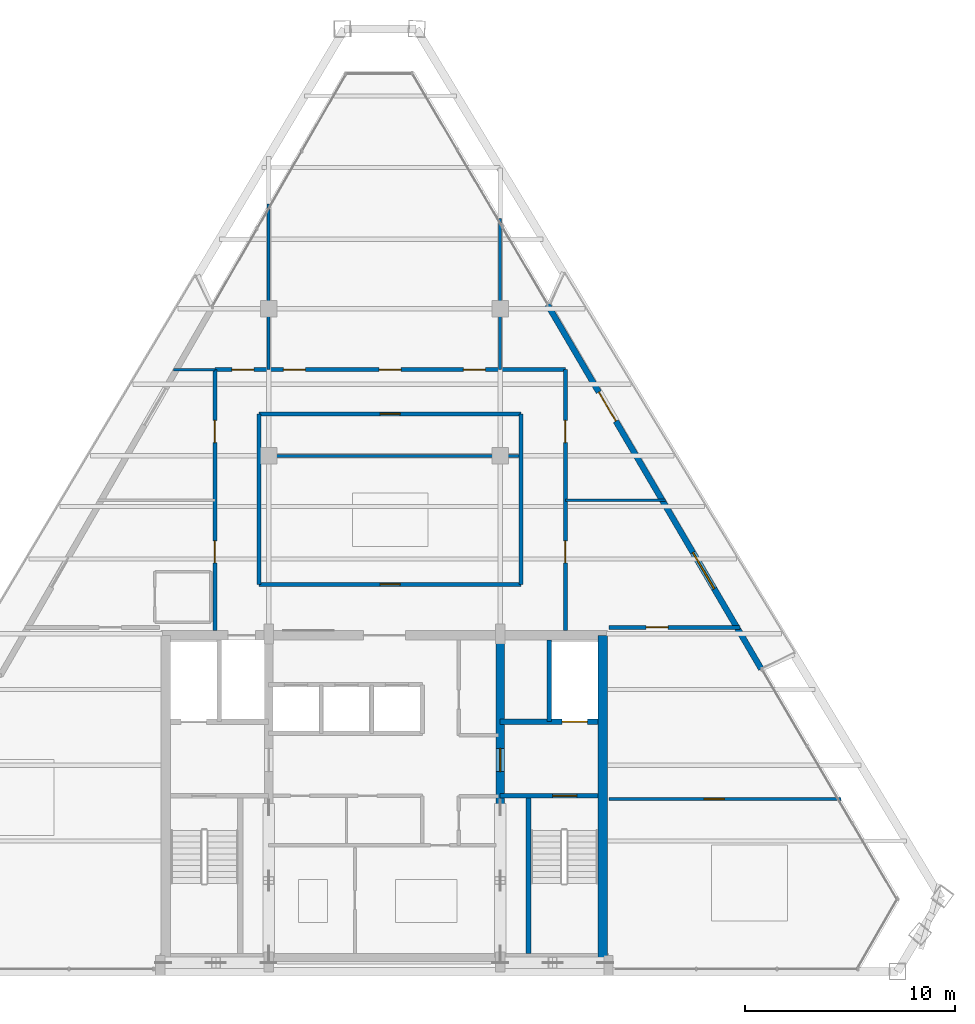
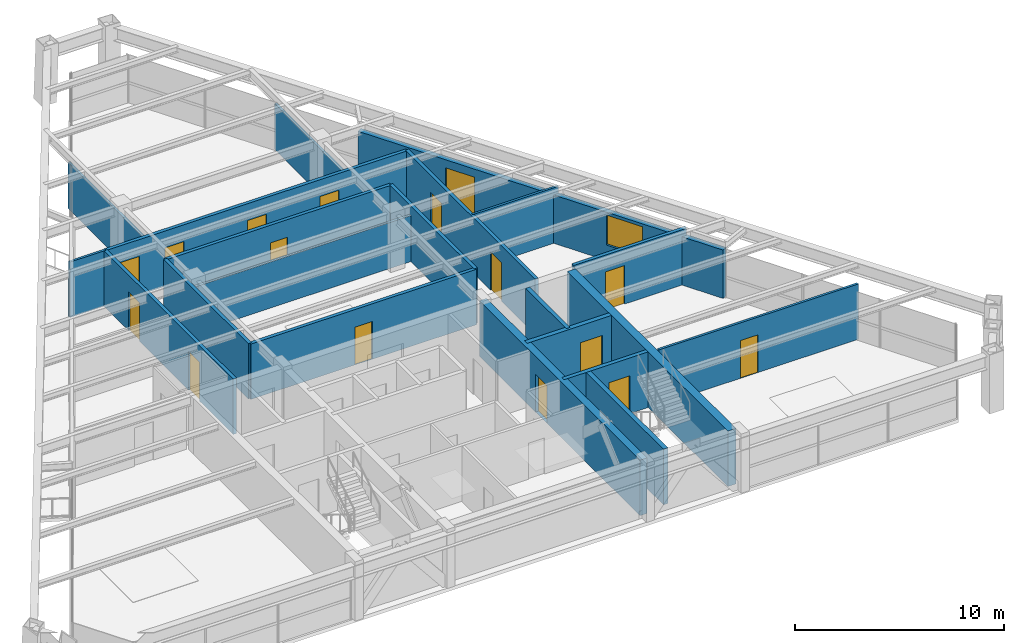
# One storey, part 10 of 13: 21 walls, 16 doors, 1 window, 17 openings.
"""IFC4 building model written with IfcOpenShell, lengths in metres."""

from ifc_helpers import new_model, si_unit, direction, frame, frame_2d, origin, place, context, subcontext, project, spatial, rectangle, extrude, source, transform, mapped, material, layer, layer_set, type_object, type_shapes, element, fill, save


model = new_model("IFC4")

# Units and contexts
model_context = context("Model", 3, precision=1e-05, world=origin(), true_north=direction((0.0, 1.0)))
body_context = subcontext(model_context, "Body", "Model", "MODEL_VIEW")
ifc_project = project(units=[si_unit("LENGTHUNIT", "METRE"), si_unit("AREAUNIT", "SQUARE_METRE"), si_unit("VOLUMEUNIT", "CUBIC_METRE"), si_unit("PLANEANGLEUNIT", "RADIAN"), si_unit("MASSUNIT", "GRAM", prefix="KILO")], contexts=[model_context])

# Site, building, storey
site_placement = place(None, origin())
site = spatial("IfcSite", under=ifc_project, at=site_placement, CompositionType="ELEMENT")
building_placement = place(site_placement, origin())
building = spatial("IfcBuilding", under=site, at=building_placement, Name="Varnakhor Terracotta Tower", CompositionType="ELEMENT")
storey_placement = place(building_placement, frame((0.0, 0.0, 283.35009765625)))
storey = spatial("IfcBuildingStorey", under=building, at=storey_placement, Name="L74", CompositionType="ELEMENT", Elevation=283.35009765625)

# Wall
ifc_material_1 = material(Name="Concrete C50/60", Category="concrete")
ifc_layer_1 = layer(ifc_material_1, 0.449951171875, Name="Concrete C50/60")
ifc_layer_set_1 = layer_set([ifc_layer_1], Name="Concrete C50/60")
wall_type_1 = type_object("IfcWallType", Name="WAL-CORE-450", PredefinedType="SHEAR", material=ifc_layer_set_1)
wall_1_placement = place(storey_placement, frame((10.375, 0.625, 0.0), z_axis=(0.0, 0.0, 1.0), x_axis=(0.0, 1.0, 0.0)))
element("IfcWall", 1, at=wall_1_placement, inside=storey, type_object=wall_type_1, Name="L74 East Core Shear Wall", PredefinedType="SHEAR", context=body_context, shape_type="SweptSolid", body=[
    extrude(rectangle(XDim=15.35009765625, YDim=0.449951171875, at=frame_2d((7.675048828125, 0.0))), origin(), (0.0, 0.0, 1.0), 3.239990234375),
])

# Wall, opening, door
ifc_layer_2 = layer(ifc_material_1, 0.39990234375, Name="Concrete C50/60")
ifc_layer_set_2 = layer_set([ifc_layer_2], Name="Concrete C50/60")
wall_type_2 = type_object("IfcWallType", Name="WAL-CORE-WEB-400", PredefinedType="SHEAR", material=ifc_layer_set_2)
wall_2_placement = place(storey_placement, frame((5.5, 0.625, 0.0), z_axis=(0.0, 0.0, 1.0), x_axis=(0.0, 1.0, 0.0)))
wall_2 = element("IfcWall", 2, at=wall_2_placement, inside=storey, type_object=wall_type_2, Name="L74 East Core Web Shear Wall", PredefinedType="SHEAR", context=body_context, shape_type="SweptSolid", body=[
    extrude(rectangle(XDim=15.35009765625, YDim=0.39990234375, at=frame_2d((7.675048828125, 0.0))), origin(), (0.0, 0.0, 1.0), 3.239990234375),
])
opening_1_placement = place(wall_2_placement, frame((8.875, 0.0, 0.0)))
opening_1 = element("IfcOpeningElement", 3, at=opening_1_placement, cuts=wall_2, Name="Opening DR-25", PredefinedType="OPENING", context=body_context, shape_type="SweptSolid", body=[
    extrude(rectangle(XDim=1.10009765625, YDim=2.199951171875, at=frame_2d((0.550048828125, 1.10009765625))), frame((0.0, 0.2099609375, 0.0), z_axis=(0.0, -1.0, 0.0), x_axis=(1.0, 0.0, 0.0)), (0.0, 0.0, 1.0), 0.419921875),
])
ifc_material_2 = material(Name="Firefighting Lobby Self-Closing Fire Door", Category="steel")
door_type_1 = type_object("IfcDoorType", Name="DR-FFL-1100X2200", OperationType="NOTDEFINED", PredefinedType="DOOR", material=ifc_material_2)
shared_shape_1 = source(origin(), body_context, "Body", "SweptSolid", [
    extrude(rectangle(XDim=1.10009765625, YDim=2.199951171875, at=frame_2d((0.550048828125, 1.10009765625))), frame((0.0, 0.02490234375, 0.0), z_axis=(0.0, -1.0, 0.0), x_axis=(1.0, 0.0, 0.0)), (0.0, 0.0, 1.0), 0.050048828125),
])
type_shapes(door_type_1, [shared_shape_1])
door_1_placement = place(opening_1_placement, origin())
door_1 = element("IfcDoor", 4, at=door_1_placement, inside=storey, type_object=door_type_1, Name="L74 East Firefighting Lobby Door", OperationType="SINGLE_SWING_RIGHT", OverallHeight=2.199951171875, OverallWidth=1.10009765625, PredefinedType="DOOR", context=body_context, shape_type="MappedRepresentation", body=[
    mapped(shared_shape_1, transform((0.0, 0.0, 0.0), scale=1.0)),
])
fill(opening_1, door_1)

ifc_material_3 = material(Name="Fire-Rated Gypsum Stud Partition", Category="gypsum")
ifc_layer_3 = layer(ifc_material_3, 0.18505859375, Name="Fire-Rated Gypsum Stud Partition")
ifc_layer_set_3 = layer_set([ifc_layer_3], Name="Fire-Rated Gypsum Stud Partition")
wall_type_3 = type_object("IfcWallType", Name="WAL-CORR-185", PredefinedType="PARTITIONING", material=ifc_layer_set_3)
wall_3_placement = place(storey_placement, frame((-5.949951171875, 18.39990234375, 0.0), z_axis=(0.0, 0.0, 1.0), x_axis=(1.0, 0.0, 0.0)))
wall_3 = element("IfcWall", 5, at=wall_3_placement, inside=storey, type_object=wall_type_3, Name="L74 Ring Inner South Wall", PredefinedType="PARTITIONING", context=body_context, shape_type="SweptSolid", body=[
    extrude(rectangle(XDim=12.449951171875, YDim=0.18505859375, at=frame_2d((6.22509765625, 0.0))), origin(), (0.0, 0.0, 1.0), 3.23193359375),
])
opening_2_placement = place(wall_3_placement, frame((5.75, 0.0, 0.0)))
opening_2 = element("IfcOpeningElement", 6, at=opening_2_placement, cuts=wall_3, Name="Opening DR-94", PredefinedType="OPENING", context=body_context, shape_type="SweptSolid", body=[
    extrude(rectangle(XDim=0.949951171875, YDim=2.199951171875, at=frame_2d((0.47509765625, 1.10009765625))), frame((0.0, 0.1025390625, 0.0), z_axis=(0.0, -1.0, 0.0), x_axis=(1.0, 0.0, 0.0)), (0.0, 0.0, 1.0), 0.205078125),
])
ifc_material_4 = material(Name="Acoustic Glazed-Vision Timber Office Door", Category="wood")
door_type_2 = type_object("IfcDoorType", Name="DR-OFF-950X2200", OperationType="NOTDEFINED", PredefinedType="DOOR", material=ifc_material_4)
shared_shape_2 = source(origin(), body_context, "Body", "SweptSolid", [
    extrude(rectangle(XDim=0.949951171875, YDim=2.199951171875, at=frame_2d((0.47509765625, 1.10009765625))), frame((0.0, 0.02490234375, 0.0), z_axis=(0.0, -1.0, 0.0), x_axis=(1.0, 0.0, 0.0)), (0.0, 0.0, 1.0), 0.050048828125),
])
type_shapes(door_type_2, [shared_shape_2])
door_2_placement = place(opening_2_placement, origin())
door_2 = element("IfcDoor", 7, at=door_2_placement, inside=storey, type_object=door_type_2, Name="L74 Housekeeping Station Door", OperationType="SINGLE_SWING_LEFT", OverallHeight=2.199951171875, OverallWidth=0.949951171875, PredefinedType="DOOR", context=body_context, shape_type="MappedRepresentation", body=[
    mapped(shared_shape_2, transform((0.0, 0.0, 0.0), scale=1.0)),
])
fill(opening_2, door_2)

wall_4_placement = place(storey_placement, frame((-5.949951171875, 26.5, 0.0), z_axis=(0.0, 0.0, 1.0), x_axis=(1.0, 0.0, 0.0)))
wall_4 = element("IfcWall", 8, at=wall_4_placement, inside=storey, type_object=wall_type_3, Name="L74 Ring Inner North Wall", PredefinedType="PARTITIONING", context=body_context, shape_type="SweptSolid", body=[
    extrude(rectangle(XDim=12.449951171875, YDim=0.18505859375, at=frame_2d((6.22509765625, 0.0))), origin(), (0.0, 0.0, 1.0), 3.23193359375),
])
opening_3_placement = place(wall_4_placement, frame((5.75, 0.0, 0.0)))
opening_3 = element("IfcOpeningElement", 9, at=opening_3_placement, cuts=wall_4, Name="Opening DR-94", PredefinedType="OPENING", context=body_context, shape_type="SweptSolid", body=[
    extrude(rectangle(XDim=0.949951171875, YDim=2.199951171875, at=frame_2d((0.47509765625, 1.10009765625))), frame((0.0, 0.1025390625, 0.0), z_axis=(0.0, -1.0, 0.0), x_axis=(1.0, 0.0, 0.0)), (0.0, 0.0, 1.0), 0.205078125),
])
door_3_placement = place(opening_3_placement, origin())
door_3 = element("IfcDoor", 10, at=door_3_placement, inside=storey, type_object=door_type_2, Name="L74 Inner Service Door", OperationType="SINGLE_SWING_RIGHT", OverallHeight=2.199951171875, OverallWidth=0.949951171875, PredefinedType="DOOR", context=body_context, shape_type="MappedRepresentation", body=[
    mapped(shared_shape_2, transform((0.0, 0.0, 0.0), scale=1.0)),
])
fill(opening_3, door_3)

# Walls
for number, where, z_axis, x_axis, name in (
    (11, (-5.949951171875, 18.39990234375, 0.0), (0.0, 0.0, 1.0), (0.0, 1.0, 0.0), "L74 Ring Inner West Wall"),
    (12, (6.5, 18.39990234375, 0.0), (0.0, 0.0, 1.0), (0.0, 1.0, 0.0), "L74 Ring Inner East Wall"),
):
    element("IfcWall", number, at=place(storey_placement, frame(where, z_axis=z_axis, x_axis=x_axis)), inside=storey, type_object=wall_type_3, Name=name, PredefinedType="PARTITIONING", context=body_context, shape_type="SweptSolid", body=[
        extrude(rectangle(XDim=8.10009765625, YDim=0.18505859375, at=frame_2d((4.050048828125, 0.0))), origin(), (0.0, 0.0, 1.0), 3.23193359375),
    ])

# Wall, openings, doors
wall_5_placement = place(storey_placement, frame((-8.050048828125, 16.199951171875, 0.0), z_axis=(0.0, 0.0, 1.0), x_axis=(0.0, 1.0, 0.0)))
wall_5 = element("IfcWall", 13, at=wall_5_placement, inside=storey, type_object=wall_type_3, Name="L74 Hotel West Corridor Wall", PredefinedType="PARTITIONING", context=body_context, shape_type="SweptSolid", body=[
    extrude(rectangle(XDim=12.400146484375, YDim=0.18505859375, at=frame_2d((6.2001953125, 0.0))), origin(), (0.0, 0.0, 1.0), 3.23193359375),
])
opening_4_placement = place(wall_5_placement, frame((3.217529296875, 0.0, 0.0)))
opening_4 = element("IfcOpeningElement", 14, at=opening_4_placement, cuts=wall_5, Name="Opening DR-95", PredefinedType="OPENING", context=body_context, shape_type="SweptSolid", body=[
    extrude(rectangle(XDim=1.050048828125, YDim=2.25, at=frame_2d((0.52490234375, 1.125))), frame((0.0, 0.1025390625, 0.0), z_axis=(0.0, -1.0, 0.0), x_axis=(1.0, 0.0, 0.0)), (0.0, 0.0, 1.0), 0.205078125),
])
opening_5_placement = place(wall_5_placement, frame((8.935791015625, 0.0, 0.0)))
opening_5 = element("IfcOpeningElement", 15, at=opening_5_placement, cuts=wall_5, Name="Opening DR-95", PredefinedType="OPENING", context=body_context, shape_type="SweptSolid", body=[
    extrude(rectangle(XDim=1.050048828125, YDim=2.25, at=frame_2d((0.52490234375, 1.125))), frame((0.0, 0.1025390625, 0.0), z_axis=(0.0, -1.0, 0.0), x_axis=(1.0, 0.0, 0.0)), (0.0, 0.0, 1.0), 0.205078125),
])
ifc_material_5 = material(Name="Solid-Core Timber Tenant/Hotel Entrance Door", Category="wood")
door_type_3 = type_object("IfcDoorType", Name="DR-SUITE-1050X2250", OperationType="NOTDEFINED", PredefinedType="DOOR", material=ifc_material_5)
shared_shape_3 = source(origin(), body_context, "Body", "SweptSolid", [
    extrude(rectangle(XDim=1.050048828125, YDim=2.25, at=frame_2d((0.52490234375, 1.125))), frame((0.0, 0.02490234375, 0.0), z_axis=(0.0, -1.0, 0.0), x_axis=(1.0, 0.0, 0.0)), (0.0, 0.0, 1.0), 0.050048828125),
])
type_shapes(door_type_3, [shared_shape_3])
door_4_placement = place(opening_4_placement, origin())
door_4 = element("IfcDoor", 16, at=door_4_placement, inside=storey, type_object=door_type_3, Name="L74 West Room 1 Entry Door", OperationType="SINGLE_SWING_RIGHT", OverallHeight=2.25, OverallWidth=1.050048828125, PredefinedType="DOOR", context=body_context, shape_type="MappedRepresentation", body=[
    mapped(shared_shape_3, transform((0.0, 0.0, 0.0), scale=1.0)),
])
fill(opening_4, door_4)
door_5_placement = place(opening_5_placement, origin())
door_5 = element("IfcDoor", 17, at=door_5_placement, inside=storey, type_object=door_type_3, Name="L74 West Room 2 Entry Door", OperationType="SINGLE_SWING_RIGHT", OverallHeight=2.25, OverallWidth=1.050048828125, PredefinedType="DOOR", context=body_context, shape_type="MappedRepresentation", body=[
    mapped(shared_shape_3, transform((0.0, 0.0, 0.0), scale=1.0)),
])
fill(opening_5, door_5)

wall_6_placement = place(storey_placement, frame((8.60009765625, 16.199951171875, 0.0), z_axis=(0.0, 0.0, 1.0), x_axis=(0.0, 1.0, 0.0)))
wall_6 = element("IfcWall", 18, at=wall_6_placement, inside=storey, type_object=wall_type_3, Name="L74 Hotel East Corridor Wall", PredefinedType="PARTITIONING", context=body_context, shape_type="SweptSolid", body=[
    extrude(rectangle(XDim=12.400146484375, YDim=0.18505859375, at=frame_2d((6.2001953125, 0.0))), origin(), (0.0, 0.0, 1.0), 3.23193359375),
])
opening_6_placement = place(wall_6_placement, frame((3.217529296875, 0.0, 0.0)))
opening_6 = element("IfcOpeningElement", 19, at=opening_6_placement, cuts=wall_6, Name="Opening DR-95", PredefinedType="OPENING", context=body_context, shape_type="SweptSolid", body=[
    extrude(rectangle(XDim=1.050048828125, YDim=2.25, at=frame_2d((0.52490234375, 1.125))), frame((0.0, 0.1025390625, 0.0), z_axis=(0.0, -1.0, 0.0), x_axis=(1.0, 0.0, 0.0)), (0.0, 0.0, 1.0), 0.205078125),
])
opening_7_placement = place(wall_6_placement, frame((8.935791015625, 0.0, 0.0)))
opening_7 = element("IfcOpeningElement", 20, at=opening_7_placement, cuts=wall_6, Name="Opening DR-95", PredefinedType="OPENING", context=body_context, shape_type="SweptSolid", body=[
    extrude(rectangle(XDim=1.050048828125, YDim=2.25, at=frame_2d((0.52490234375, 1.125))), frame((0.0, 0.1025390625, 0.0), z_axis=(0.0, -1.0, 0.0), x_axis=(1.0, 0.0, 0.0)), (0.0, 0.0, 1.0), 0.205078125),
])
door_6_placement = place(opening_6_placement, origin())
door_6 = element("IfcDoor", 21, at=door_6_placement, inside=storey, type_object=door_type_3, Name="L74 East Room 1 Entry Door", OperationType="SINGLE_SWING_LEFT", OverallHeight=2.25, OverallWidth=1.050048828125, PredefinedType="DOOR", context=body_context, shape_type="MappedRepresentation", body=[
    mapped(shared_shape_3, transform((0.0, 0.0, 0.0), scale=1.0)),
])
fill(opening_6, door_6)
door_7_placement = place(opening_7_placement, origin())
door_7 = element("IfcDoor", 22, at=door_7_placement, inside=storey, type_object=door_type_3, Name="L74 East Room 2 Entry Door", OperationType="SINGLE_SWING_RIGHT", OverallHeight=2.25, OverallWidth=1.050048828125, PredefinedType="DOOR", context=body_context, shape_type="MappedRepresentation", body=[
    mapped(shared_shape_3, transform((0.0, 0.0, 0.0), scale=1.0)),
])
fill(opening_7, door_7)

wall_7_placement = place(storey_placement, frame((-8.050048828125, 28.60009765625, 0.0), z_axis=(0.0, 0.0, 1.0), x_axis=(1.0, 0.0, 0.0)))
wall_7 = element("IfcWall", 23, at=wall_7_placement, inside=storey, type_object=wall_type_3, Name="L74 Hotel North Corridor Wall", PredefinedType="PARTITIONING", context=body_context, shape_type="SweptSolid", body=[
    extrude(rectangle(XDim=16.650146484375, YDim=0.18505859375, at=frame_2d((8.3251953125, 0.0))), origin(), (0.0, 0.0, 1.0), 3.23193359375),
])
opening_8_placement = place(wall_7_placement, frame((3.24755859375, 0.0, 0.0)))
opening_8 = element("IfcOpeningElement", 24, at=opening_8_placement, cuts=wall_7, Name="Opening DR-95", PredefinedType="OPENING", context=body_context, shape_type="SweptSolid", body=[
    extrude(rectangle(XDim=1.050048828125, YDim=2.25, at=frame_2d((0.52490234375, 1.125))), frame((0.0, 0.1025390625, 0.0), z_axis=(0.0, -1.0, 0.0), x_axis=(1.0, 0.0, 0.0)), (0.0, 0.0, 1.0), 0.205078125),
])
opening_9_placement = place(wall_7_placement, frame((7.800048828125, 0.0, 0.0)))
opening_9 = element("IfcOpeningElement", 25, at=opening_9_placement, cuts=wall_7, Name="Opening DR-95", PredefinedType="OPENING", context=body_context, shape_type="SweptSolid", body=[
    extrude(rectangle(XDim=1.050048828125, YDim=2.25, at=frame_2d((0.52490234375, 1.125))), frame((0.0, 0.1025390625, 0.0), z_axis=(0.0, -1.0, 0.0), x_axis=(1.0, 0.0, 0.0)), (0.0, 0.0, 1.0), 0.205078125),
])
opening_10_placement = place(wall_7_placement, frame((11.802490234375, 0.0, 0.0)))
opening_10 = element("IfcOpeningElement", 26, at=opening_10_placement, cuts=wall_7, Name="Opening DR-95", PredefinedType="OPENING", context=body_context, shape_type="SweptSolid", body=[
    extrude(rectangle(XDim=1.050048828125, YDim=2.25, at=frame_2d((0.52490234375, 1.125))), frame((0.0, 0.1025390625, 0.0), z_axis=(0.0, -1.0, 0.0), x_axis=(1.0, 0.0, 0.0)), (0.0, 0.0, 1.0), 0.205078125),
])
opening_11_placement = place(wall_7_placement, frame((0.802490234375, 0.0, 0.0)))
opening_11 = element("IfcOpeningElement", 27, at=opening_11_placement, cuts=wall_7, Name="Opening DR-95", PredefinedType="OPENING", context=body_context, shape_type="SweptSolid", body=[
    extrude(rectangle(XDim=1.050048828125, YDim=2.25, at=frame_2d((0.52490234375, 1.125))), frame((0.0, 0.1025390625, 0.0), z_axis=(0.0, -1.0, 0.0), x_axis=(1.0, 0.0, 0.0)), (0.0, 0.0, 1.0), 0.205078125),
])
door_8_placement = place(opening_8_placement, origin())
door_8 = element("IfcDoor", 28, at=door_8_placement, inside=storey, type_object=door_type_3, Name="L74 North Suite 1 Entry Door", OperationType="SINGLE_SWING_LEFT", OverallHeight=2.25, OverallWidth=1.050048828125, PredefinedType="DOOR", context=body_context, shape_type="MappedRepresentation", body=[
    mapped(shared_shape_3, transform((0.0, 0.0, 0.0), scale=1.0)),
])
fill(opening_8, door_8)
door_9_placement = place(opening_9_placement, origin())
door_9 = element("IfcDoor", 29, at=door_9_placement, inside=storey, type_object=door_type_3, Name="L74 North Suite 2 Entry Door", OperationType="SINGLE_SWING_RIGHT", OverallHeight=2.25, OverallWidth=1.050048828125, PredefinedType="DOOR", context=body_context, shape_type="MappedRepresentation", body=[
    mapped(shared_shape_3, transform((0.0, 0.0, 0.0), scale=1.0)),
])
fill(opening_9, door_9)
door_10_placement = place(opening_10_placement, origin())
door_10 = element("IfcDoor", 30, at=door_10_placement, inside=storey, type_object=door_type_3, Name="L74 North Suite 3 Entry Door", OperationType="SINGLE_SWING_LEFT", OverallHeight=2.25, OverallWidth=1.050048828125, PredefinedType="DOOR", context=body_context, shape_type="MappedRepresentation", body=[
    mapped(shared_shape_3, transform((0.0, 0.0, 0.0), scale=1.0)),
])
fill(opening_10, door_10)
door_11_placement = place(opening_11_placement, origin())
door_11 = element("IfcDoor", 31, at=door_11_placement, inside=storey, type_object=door_type_3, Name="L74 Maitre D Reception NW Door", OperationType="SINGLE_SWING_RIGHT", OverallHeight=2.25, OverallWidth=1.050048828125, PredefinedType="DOOR", context=body_context, shape_type="MappedRepresentation", body=[
    mapped(shared_shape_3, transform((0.0, 0.0, 0.0), scale=1.0)),
])
fill(opening_11, door_11)

# Wall, opening, door
wall_8_placement = place(storey_placement, frame((10.679931640625, 16.35009765625, 0.0), z_axis=(0.0, 0.0, 1.0), x_axis=(1.0, 0.0, 0.0)))
wall_8 = element("IfcWall", 32, at=wall_8_placement, inside=storey, type_object=wall_type_3, Name="L74 South East Guest Entry Wall", PredefinedType="PARTITIONING", context=body_context, shape_type="SweptSolid", body=[
    extrude(rectangle(XDim=6.222412109375, YDim=0.18505859375, at=frame_2d((3.111328125, 0.0))), origin(), (0.0, 0.0, 1.0), 3.23193359375),
])
opening_12_placement = place(wall_8_placement, frame((1.7548828125, 0.0, 0.0)))
opening_12 = element("IfcOpeningElement", 33, at=opening_12_placement, cuts=wall_8, Name="Opening DR-95", PredefinedType="OPENING", context=body_context, shape_type="SweptSolid", body=[
    extrude(rectangle(XDim=1.050048828125, YDim=2.25, at=frame_2d((0.52490234375, 1.125))), frame((0.0, 0.1025390625, 0.0), z_axis=(0.0, -1.0, 0.0), x_axis=(1.0, 0.0, 0.0)), (0.0, 0.0, 1.0), 0.205078125),
])
door_12_placement = place(opening_12_placement, origin())
door_12 = element("IfcDoor", 34, at=door_12_placement, inside=storey, type_object=door_type_3, Name="L74 SE Suite Entry Door", OperationType="SINGLE_SWING_RIGHT", OverallHeight=2.25, OverallWidth=1.050048828125, PredefinedType="DOOR", context=body_context, shape_type="MappedRepresentation", body=[
    mapped(shared_shape_3, transform((0.0, 0.0, 0.0), scale=1.0)),
])
fill(opening_12, door_12)

# Wall, openings, door, window
ifc_material_6 = material(Name="Extruded Architectural Terracotta Assembly", Category="masonry")
ifc_layer_4 = layer(ifc_material_6, 0.280029296875, Name="Extruded Architectural Terracotta Assembly")
ifc_layer_set_4 = layer_set([ifc_layer_4], Name="Extruded Architectural Terracotta Assembly")
wall_type_4 = type_object("IfcWallType", Name="WAL-EXT-TERRACOTTA-280", PredefinedType="SOLIDWALL", material=ifc_layer_set_4)
wall_9_placement = place(storey_placement, frame((7.751708984375, 31.686279296875, 0.0), z_axis=(0.0, 0.0, 1.0), x_axis=(0.506132125438, -0.862455953426, 0.0)))
wall_9 = element("IfcWall", 35, at=wall_9_placement, inside=storey, type_object=wall_type_4, Name="L74 E Loggia Insulated Terracotta Wall", PredefinedType="SOLIDWALL", context=body_context, shape_type="SweptSolid", body=[
    extrude(rectangle(XDim=20.0712890625, YDim=0.280029296875, at=frame_2d((10.03564453125, 0.0))), origin(), (0.0, 0.0, 1.0), 2.81982421875),
])
opening_13_placement = place(wall_9_placement, frame((4.817138671875, 0.0, 0.0)))
opening_13 = element("IfcOpeningElement", 36, at=opening_13_placement, cuts=wall_9, Name="Opening DR-62", PredefinedType="OPENING", context=body_context, shape_type="SweptSolid", body=[
    extrude(rectangle(XDim=1.60009765625, YDim=2.35009765625, at=frame_2d((0.800048828125, 1.175048828125))), frame((0.0, 0.14990234375, 0.0), z_axis=(0.0, -1.0, 0.0), x_axis=(1.0, 0.0, 0.0)), (0.0, 0.0, 1.0), 0.300048828125),
])
opening_14_placement = place(wall_9_placement, frame((13.6484375, 0.0, 0.89990234375)))
opening_14 = element("IfcOpeningElement", 37, at=opening_14_placement, cuts=wall_9, Name="Opening WN-63", PredefinedType="OPENING", context=body_context, shape_type="SweptSolid", body=[
    extrude(rectangle(XDim=2.0, YDim=1.75, at=frame_2d((1.0, 0.875))), frame((0.0, 0.14990234375, 0.0), z_axis=(0.0, -1.0, 0.0), x_axis=(1.0, 0.0, 0.0)), (0.0, 0.0, 1.0), 0.300048828125),
])
ifc_material_7 = material(Name="Thermally Broken Sliding Glass Loggia Door", Category="glass")
door_type_4 = type_object("IfcDoorType", Name="DR-EXT-LOGGIA-1600X2350", OperationType="NOTDEFINED", PredefinedType="DOOR", material=ifc_material_7)
shared_shape_4 = source(origin(), body_context, "Body", "SweptSolid", [
    extrude(rectangle(XDim=1.60009765625, YDim=2.35009765625, at=frame_2d((0.800048828125, 1.175048828125))), frame((0.0, 0.02490234375, 0.0), z_axis=(0.0, -1.0, 0.0), x_axis=(1.0, 0.0, 0.0)), (0.0, 0.0, 1.0), 0.050048828125),
])
type_shapes(door_type_4, [shared_shape_4])
door_13_placement = place(opening_13_placement, origin())
door_13 = element("IfcDoor", 38, at=door_13_placement, inside=storey, type_object=door_type_4, Name="L74 E Recessed Loggia Sliding Door", OperationType="SLIDING_TO_RIGHT", OverallHeight=2.35009765625, OverallWidth=1.60009765625, PredefinedType="DOOR", context=body_context, shape_type="MappedRepresentation", body=[
    mapped(shared_shape_4, transform((0.0, 0.0, 0.0), scale=1.0)),
])
fill(opening_13, door_13)
ifc_material_8 = material(Name="Solar-Control Low-E Insulated Glass Unit", Category="glass")
window_type = type_object("IfcWindowType", Name="WIN-HTL-2000X1950", PartitioningType="SINGLE_PANEL", PredefinedType="WINDOW", material=ifc_material_8)
shared_shape_5 = source(origin(), body_context, "Body", "SweptSolid", [
    extrude(rectangle(XDim=2.0, YDim=1.75, at=frame_2d((1.0, 0.875))), frame((0.0, 0.030029296875, 0.0), z_axis=(0.0, -1.0, 0.0), x_axis=(1.0, 0.0, 0.0)), (0.0, 0.0, 1.0), 0.06005859375),
])
type_shapes(window_type, [shared_shape_5])
window_placement = place(opening_14_placement, origin())
window = element("IfcWindow", 39, at=window_placement, inside=storey, type_object=window_type, Name="L74 E Facet Punched Window", OverallHeight=1.75, OverallWidth=2.0, PartitioningType="SINGLE_PANEL", PredefinedType="WINDOW", context=body_context, shape_type="MappedRepresentation", body=[
    mapped(shared_shape_5, transform((0.0, 0.0, 0.0), scale=1.0)),
])
fill(opening_14, window)

# Wall, opening, door
ifc_material_9 = material(Name="Concrete C40/50", Category="concrete")
ifc_layer_5 = layer(ifc_material_9, 0.219970703125, Name="Concrete C40/50")
ifc_layer_set_5 = layer_set([ifc_layer_5], Name="Concrete C40/50")
wall_type_5 = type_object("IfcWallType", Name="WAL-FFLOBBY-220", PredefinedType="SOLIDWALL", material=ifc_layer_set_5)
wall_10_placement = place(storey_placement, frame((10.14990234375, 8.35009765625, 0.0), z_axis=(0.0, 0.0, 1.0), x_axis=(-1.0, 0.0, 0.0)))
wall_10 = element("IfcWall", 40, at=wall_10_placement, inside=storey, type_object=wall_type_5, Name="L74 East Firefighting Lobby Stair Wall", PredefinedType="SOLIDWALL", context=body_context, shape_type="SweptSolid", body=[
    extrude(rectangle(XDim=4.64990234375, YDim=0.219970703125, at=frame_2d((2.324951171875, 0.0))), origin(), (0.0, 0.0, 1.0), 3.239990234375),
])
opening_15_placement = place(wall_10_placement, frame((1.0, 0.0, 0.0)))
opening_15 = element("IfcOpeningElement", 41, at=opening_15_placement, cuts=wall_10, Name="Opening DR-34", PredefinedType="OPENING", context=body_context, shape_type="SweptSolid", body=[
    extrude(rectangle(XDim=1.14990234375, YDim=2.199951171875, at=frame_2d((0.574951171875, 1.10009765625))), frame((0.0, 0.1201171875, 0.0), z_axis=(0.0, -1.0, 0.0), x_axis=(1.0, 0.0, 0.0)), (0.0, 0.0, 1.0), 0.239990234375),
])
ifc_material_10 = material(Name="Self-Closing Smoke-Sealed Steel Fire Door", Category="steel")
door_type_5 = type_object("IfcDoorType", Name="DR-STAIR-1150X2200", OperationType="NOTDEFINED", PredefinedType="DOOR", material=ifc_material_10)
shared_shape_6 = source(origin(), body_context, "Body", "SweptSolid", [
    extrude(rectangle(XDim=1.14990234375, YDim=2.199951171875, at=frame_2d((0.574951171875, 1.10009765625))), frame((0.0, 0.02490234375, 0.0), z_axis=(0.0, -1.0, 0.0), x_axis=(1.0, 0.0, 0.0)), (0.0, 0.0, 1.0), 0.050048828125),
])
type_shapes(door_type_5, [shared_shape_6])
door_14_placement = place(opening_15_placement, origin())
door_14 = element("IfcDoor", 42, at=door_14_placement, inside=storey, type_object=door_type_5, Name="L74 Exit Stair ST-2 Fire Door", OperationType="SINGLE_SWING_LEFT", OverallHeight=2.199951171875, OverallWidth=1.14990234375, PredefinedType="DOOR", context=body_context, shape_type="MappedRepresentation", body=[
    mapped(shared_shape_6, transform((0.0, 0.0, 0.0), scale=1.0)),
])
fill(opening_15, door_14)

# Walls
ifc_material_11 = material(Name="Acoustic Hotel Room Partition", Category="gypsum")
ifc_layer_6 = layer(ifc_material_11, 0.1298828125, Name="Acoustic Hotel Room Partition")
ifc_layer_set_6 = layer_set([ifc_layer_6], Name="Acoustic Hotel Room Partition")
wall_type_6 = type_object("IfcWallType", Name="WAL-PART-130", PredefinedType="PARTITIONING", material=ifc_layer_set_6)
wall_11_placement = place(storey_placement, frame((-10.02880859375, 28.60009765625, 0.0), z_axis=(0.0, 0.0, 1.0), x_axis=(1.0, 0.0, 0.0)))
element("IfcWall", 43, at=wall_11_placement, inside=storey, type_object=wall_type_6, Name="L74 North West Suite South Wall", PredefinedType="PARTITIONING", context=body_context, shape_type="SweptSolid", body=[
    extrude(rectangle(XDim=1.978759765625, YDim=0.1298828125, at=frame_2d((0.9892578125, 0.0))), origin(), (0.0, 0.0, 1.0), 3.23193359375),
])
wall_12_placement = place(storey_placement, frame((-5.5, 28.60009765625, 0.0), z_axis=(0.0, 0.0, 1.0), x_axis=(0.0, 1.0, 0.0)))
element("IfcWall", 44, at=wall_12_placement, inside=storey, type_object=wall_type_6, Name="L74 North West Column Wall", PredefinedType="PARTITIONING", context=body_context, shape_type="SweptSolid", body=[
    extrude(rectangle(XDim=7.86474609375, YDim=0.1298828125, at=frame_2d((3.932373046875, 0.0))), origin(), (0.0, 0.0, 1.0), 2.682861328125),
])
wall_13_placement = place(storey_placement, frame((5.5, 28.60009765625, 0.0), z_axis=(0.0, 0.0, 1.0), x_axis=(0.0, 1.0, 0.0)))
element("IfcWall", 45, at=wall_13_placement, inside=storey, type_object=wall_type_6, Name="L74 North East Column Wall", PredefinedType="PARTITIONING", context=body_context, shape_type="SweptSolid", body=[
    extrude(rectangle(XDim=7.179931640625, YDim=0.1298828125, at=frame_2d((3.58984375, 0.0))), origin(), (0.0, 0.0, 1.0), 2.682861328125),
])

# Wall, opening, door
wall_14_placement = place(storey_placement, frame((10.679931640625, 8.199951171875, 0.0), z_axis=(0.0, 0.0, 1.0), x_axis=(1.0, 0.0, 0.0)))
wall_14 = element("IfcWall", 46, at=wall_14_placement, inside=storey, type_object=wall_type_6, Name="L74 SE Key Split 1", PredefinedType="PARTITIONING", context=body_context, shape_type="SweptSolid", body=[
    extrude(rectangle(XDim=11.00537109375, YDim=0.1298828125, at=frame_2d((5.502685546875, 0.0))), origin(), (0.0, 0.0, 1.0), 3.23193359375),
])
opening_16_placement = place(wall_14_placement, frame((4.51123046875, 0.0, 0.0)))
opening_16 = element("IfcOpeningElement", 47, at=opening_16_placement, cuts=wall_14, Name="Opening DR-94", PredefinedType="OPENING", context=body_context, shape_type="SweptSolid", body=[
    extrude(rectangle(XDim=0.949951171875, YDim=2.199951171875, at=frame_2d((0.47509765625, 1.10009765625))), frame((0.0, 0.074951171875, 0.0), z_axis=(0.0, -1.0, 0.0), x_axis=(1.0, 0.0, 0.0)), (0.0, 0.0, 1.0), 0.14990234375),
])
door_15_placement = place(opening_16_placement, origin())
door_15 = element("IfcDoor", 48, at=door_15_placement, inside=storey, type_object=door_type_2, Name="L74 SE Suite Connect Door 1", OperationType="SINGLE_SWING_LEFT", OverallHeight=2.199951171875, OverallWidth=0.949951171875, PredefinedType="DOOR", context=body_context, shape_type="MappedRepresentation", body=[
    mapped(shared_shape_2, transform((0.0, 0.0, 0.0), scale=1.0)),
])
fill(opening_16, door_15)

# Walls
wall_15_placement = place(storey_placement, frame((8.60009765625, 22.39990234375, 0.0), z_axis=(0.0, 0.0, 1.0), x_axis=(1.0, 0.0, 0.0)))
element("IfcWall", 49, at=wall_15_placement, inside=storey, type_object=wall_type_6, Name="L74 East Key Cut 1", PredefinedType="PARTITIONING", context=body_context, shape_type="SweptSolid", body=[
    extrude(rectangle(XDim=4.751953125, YDim=0.1298828125, at=frame_2d((2.3759765625, 0.0))), origin(), (0.0, 0.0, 1.0), 3.23193359375),
])
ifc_material_12 = material(Name="Acoustic Metal-Stud Partition", Category="gypsum")
ifc_layer_7 = layer(ifc_material_12, 0.139892578125, Name="Acoustic Metal-Stud Partition")
ifc_layer_set_7 = layer_set([ifc_layer_7], Name="Acoustic Metal-Stud Partition")
wall_type_7 = type_object("IfcWallType", Name="WAL-PART-140", PredefinedType="PARTITIONING", material=ifc_layer_set_7)
wall_16_placement = place(storey_placement, frame((-5.949951171875, 24.5, 0.0), z_axis=(0.0, 0.0, 1.0), x_axis=(1.0, 0.0, 0.0)))
element("IfcWall", 50, at=wall_16_placement, inside=storey, type_object=wall_type_7, Name="L74 Inner Service Split", PredefinedType="PARTITIONING", context=body_context, shape_type="SweptSolid", body=[
    extrude(rectangle(XDim=12.449951171875, YDim=0.139892578125, at=frame_2d((6.22509765625, 0.0))), origin(), (0.0, 0.0, 1.0), 2.682861328125),
])
ifc_layer_8 = layer(ifc_material_9, 0.219970703125, Name="Concrete C40/50")
ifc_layer_set_8 = layer_set([ifc_layer_8], Name="Concrete C40/50")
wall_type_8 = type_object("IfcWallType", Name="WAL-SHAFT-220", PredefinedType="SOLIDWALL", material=ifc_layer_set_8)
wall_17_placement = place(storey_placement, frame((7.840087890625, 11.8701171875, 0.0), z_axis=(0.0, 0.0, 1.0), x_axis=(0.0, 1.0, 0.0)))
element("IfcWall", 51, at=wall_17_placement, inside=storey, type_object=wall_type_8, Name="L74 Lift FFL-2 and Riser Divider Wall", PredefinedType="SOLIDWALL", context=body_context, shape_type="SweptSolid", body=[
    extrude(rectangle(XDim=3.8798828125, YDim=0.219970703125, at=frame_2d((1.93994140625, 0.0))), origin(), (0.0, 0.0, 1.0), 3.239990234375),
])
ifc_layer_9 = layer(ifc_material_9, 0.25, Name="Concrete C40/50")
ifc_layer_set_9 = layer_set([ifc_layer_9], Name="Concrete C40/50")
wall_type_9 = type_object("IfcWallType", Name="WAL-SHAFT-250", PredefinedType="SOLIDWALL", material=ifc_layer_set_9)
wall_18_placement = place(storey_placement, frame((6.85009765625, 0.85009765625, 0.0), z_axis=(0.0, 0.0, 1.0), x_axis=(0.0, 1.0, 0.0)))
element("IfcWall", 52, at=wall_18_placement, inside=storey, type_object=wall_type_9, Name="L74 Stair ST-2 Bearing Shaft Wall", PredefinedType="SOLIDWALL", context=body_context, shape_type="SweptSolid", body=[
    extrude(rectangle(XDim=7.5, YDim=0.25, at=frame_2d((3.75, 0.0))), origin(), (0.0, 0.0, 1.0), 3.239990234375),
])

# Wall, opening, door
wall_19_placement = place(storey_placement, frame((10.14990234375, 11.8701171875, 0.0), z_axis=(0.0, 0.0, 1.0), x_axis=(-1.0, 0.0, 0.0)))
wall_19 = element("IfcWall", 53, at=wall_19_placement, inside=storey, type_object=wall_type_9, Name="L74 Lift FFL-2 Shaft Front Wall", PredefinedType="SOLIDWALL", context=body_context, shape_type="SweptSolid", body=[
    extrude(rectangle(XDim=4.64990234375, YDim=0.25, at=frame_2d((2.324951171875, 0.0))), origin(), (0.0, 0.0, 1.0), 3.239990234375),
])
opening_17_placement = place(wall_19_placement, frame((0.5, 0.0, 0.0)))
opening_17 = element("IfcOpeningElement", 54, at=opening_17_placement, cuts=wall_19, Name="Opening LD-02", PredefinedType="OPENING", context=body_context, shape_type="SweptSolid", body=[
    extrude(rectangle(XDim=1.199951171875, YDim=2.25, at=frame_2d((0.60009765625, 1.125))), frame((0.0, 0.135009765625, 0.0), z_axis=(0.0, -1.0, 0.0), x_axis=(1.0, 0.0, 0.0)), (0.0, 0.0, 1.0), 0.27001953125),
])
ifc_material_13 = material(Name="Firefighting Stretcher Sliding Lift Landing Door", Category="steel")
door_type_6 = type_object("IfcDoorType", Name="LD-FFL-1200X2250", OperationType="NOTDEFINED", PredefinedType="DOOR", material=ifc_material_13)
shared_shape_7 = source(origin(), body_context, "Body", "SweptSolid", [
    extrude(rectangle(XDim=1.199951171875, YDim=2.25, at=frame_2d((0.60009765625, 1.125))), frame((0.0, 0.02490234375, 0.0), z_axis=(0.0, -1.0, 0.0), x_axis=(1.0, 0.0, 0.0)), (0.0, 0.0, 1.0), 0.050048828125),
])
type_shapes(door_type_6, [shared_shape_7])
door_16_placement = place(opening_17_placement, origin())
door_16 = element("IfcDoor", 55, at=door_16_placement, inside=storey, type_object=door_type_6, Name="L74 Firefighting Lift FFL-2 Landing Door", OperationType="SLIDING_TO_RIGHT", OverallHeight=2.25, OverallWidth=1.199951171875, PredefinedType="DOOR", context=body_context, shape_type="MappedRepresentation", body=[
    mapped(shared_shape_7, transform((0.0, 0.0, 0.0), scale=1.0)),
])
fill(opening_17, door_16)

save(model, "model.ifc")
